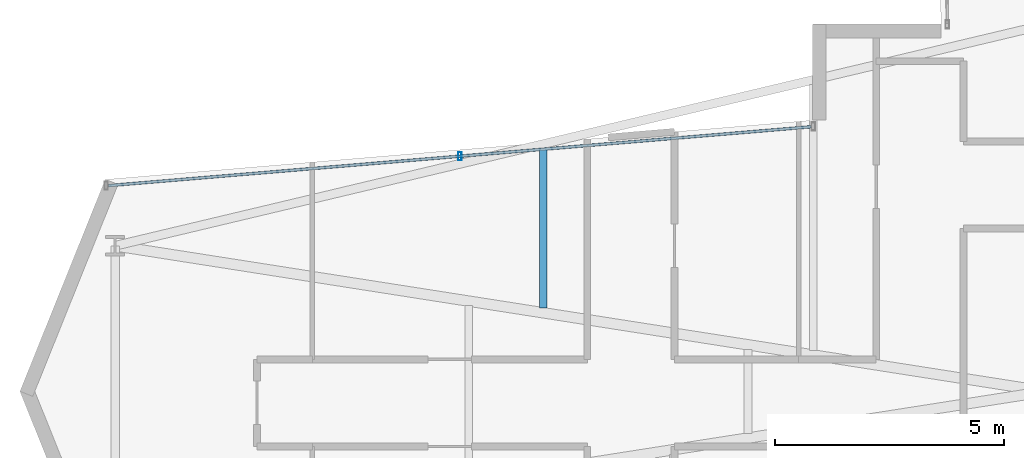
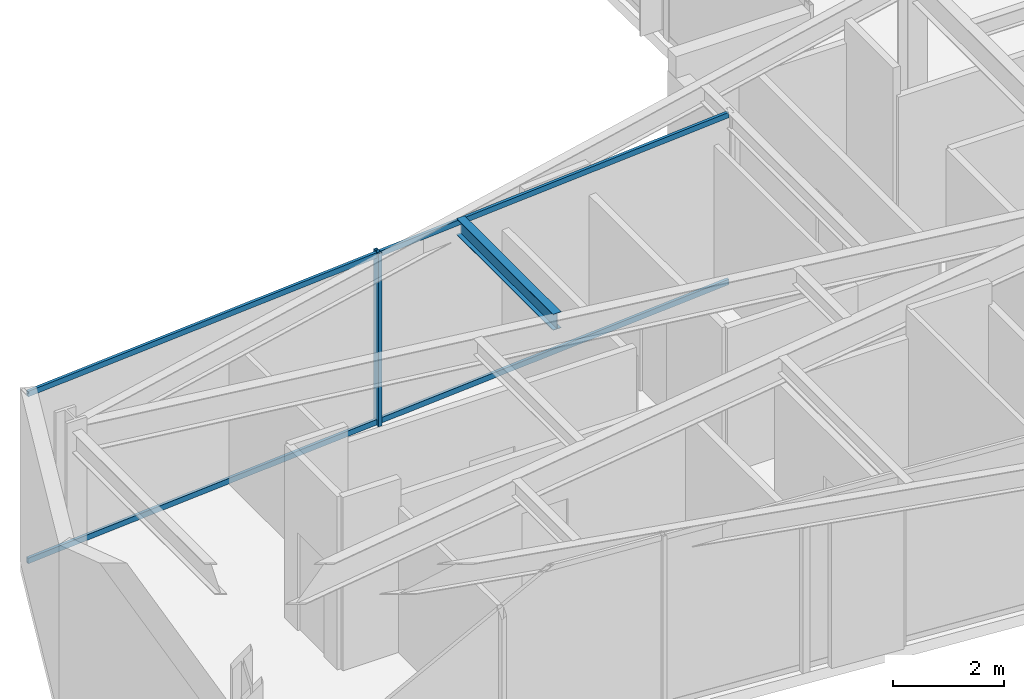
# One storey, part 8 of 25: 3 members, 1 beam, 1 element without a shape of its own.
"""IFC4 building model written with IfcOpenShell, lengths in metres."""

from ifc_helpers import new_model, si_unit, direction, frame, origin, origin_2d, place, context, subcontext, project, spatial, hollow_rectangle, i_section, extrude, material, layer, layer_set, material_profile, profile_set, type_object, element, aggregate, save


model = new_model("IFC4")

# Units and contexts
model_context = context("Model", 3, precision=1e-05, world=origin(), true_north=direction((0.0, 1.0)))
body_context = subcontext(model_context, "Body", "Model", "MODEL_VIEW")
ifc_project = project(units=[si_unit("LENGTHUNIT", "METRE"), si_unit("AREAUNIT", "SQUARE_METRE"), si_unit("VOLUMEUNIT", "CUBIC_METRE"), si_unit("PLANEANGLEUNIT", "RADIAN"), si_unit("MASSUNIT", "GRAM", prefix="KILO")], contexts=[model_context])

# Site, building, storey
site_placement = place(None, origin())
site = spatial("IfcSite", under=ifc_project, at=site_placement, CompositionType="ELEMENT")
building_placement = place(site_placement, origin())
building = spatial("IfcBuilding", under=site, at=building_placement, Name="Veymaron Broadcast Tower", CompositionType="ELEMENT")
storey_placement = place(building_placement, frame((0.0, 0.0, 129.0)))
storey = spatial("IfcBuildingStorey", under=building, at=storey_placement, Name="L29", CompositionType="ELEMENT", Elevation=129.0)

# Beam
ifc_material_1 = material(Name="Structural steel ASTM A992 Gr 50", Category="steel")
ifc_material_profile_1 = material_profile(ifc_material_1, i_section(OverallWidth=0.1708984375, OverallDepth=0.35498046875, WebThickness=0.007080078125, FlangeThickness=0.01171875, at=origin_2d()), Name="W360X51")
ifc_profile_set_1 = profile_set([ifc_material_profile_1], Name="Structural steel ASTM A992 Gr 50")
beam_type = type_object("IfcBeamType", Name="BM-JS2", PredefinedType="JOIST", material=ifc_profile_set_1)
beam_placement = place(storey_placement, frame((20.24072265625, 25.814453125, 3.632568359375), z_axis=(0.0, 1.0, 0.0), x_axis=(-1.0, 0.0, 0.0)))
element("IfcBeam", 1, at=beam_placement, inside=storey, type_object=beam_type, Name="L29 Arm-A secondary joist 1N", PredefinedType="JOIST", context=body_context, shape_type="SweptSolid", body=[
    extrude(i_section(OverallWidth=0.1708984375, OverallDepth=0.35498046875, WebThickness=0.007080078125, FlangeThickness=0.01171875, at=origin_2d()), origin(), (0.0, 0.0, 1.0), 3.47998046875),
])

# Curtain wall, members
ifc_material_2 = material(Name="Anodised aluminium AA 6063-T6 and laminated low-E dark glass", Category="aluminium")
ifc_layer = layer(ifc_material_2, 0.179931640625)
ifc_layer_set = layer_set([ifc_layer], Name="Anodised aluminium AA 6063-T6 and laminated low-E dark glass")
curtain_wall_type = type_object("IfcCurtainWallType", Name="CW-SYS-03", PredefinedType="NOTDEFINED", material=ifc_layer_set)
curtain_wall_placement = place(storey_placement, origin())
curtain_wall = element("IfcCurtainWall", 2, at=curtain_wall_placement, inside=storey, type_object=curtain_wall_type, Name="L29 dark-glass curtain wall CW-L29-E11-1", PredefinedType="NOTDEFINED")
ifc_material_3 = material(Name="Anodised aluminium AA 6063-T6", Category="aluminium")
ifc_material_profile_2 = material_profile(ifc_material_3, hollow_rectangle(XDim=0.074951171875, YDim=0.179931640625, WallThickness=0.0048828125, at=origin_2d()), Name="AL180X75X5")
ifc_profile_set_2 = profile_set([ifc_material_profile_2], Name="Anodised aluminium AA 6063-T6")
member_type_1 = type_object("IfcMemberType", Name="CW-MUL-02", PredefinedType="MULLION", material=ifc_profile_set_2)
member_1_placement = place(storey_placement, frame((18.421630859375, 29.128662109375, 0.0), z_axis=(0.0, 0.0, 1.0), x_axis=(1.0, 0.0, 0.0)))
member_1 = element("IfcMember", 3, at=member_1_placement, type_object=member_type_1, Name="CW-L29-E11-1 mullion 1", PredefinedType="MULLION", context=body_context, shape_type="SweptSolid", body=[
    extrude(hollow_rectangle(XDim=0.074951171875, YDim=0.179931640625, WallThickness=0.0048828125, at=origin_2d()), origin(), (0.0, 0.0, 1.0), 3.81005859375),
])
ifc_material_profile_3 = material_profile(ifc_material_3, hollow_rectangle(XDim=0.06005859375, YDim=0.1201171875, WallThickness=0.00390625, at=origin_2d()), Name="AL120X60X4")
ifc_profile_set_3 = profile_set([ifc_material_profile_3], Name="Anodised aluminium AA 6063-T6")
member_type_2 = type_object("IfcMemberType", Name="CW-TRN-02", PredefinedType="USERDEFINED", material=ifc_profile_set_3)
member_2_placement = place(storey_placement, frame((26.081787109375, 29.7705078125, 0.070068359375), z_axis=(-0.996507981532, -0.083497561303, 0.0), x_axis=(0.083497561303, -0.996507981532, 0.0)))
member_2 = element("IfcMember", 4, at=member_2_placement, type_object=member_type_2, Name="CW-L29-E11-1 transom B", ObjectType="TRANSOM", PredefinedType="USERDEFINED", context=body_context, shape_type="SweptSolid", body=[
    extrude(hollow_rectangle(XDim=0.06005859375, YDim=0.1201171875, WallThickness=0.00390625, at=origin_2d()), origin(), (0.0, 0.0, 1.0), 15.3740234375),
])
member_3_placement = place(storey_placement, frame((26.081787109375, 29.7705078125, 3.739990234375), z_axis=(-0.996507981532, -0.083497561303, 0.0), x_axis=(0.083497561303, -0.996507981532, 0.0)))
member_3 = element("IfcMember", 5, at=member_3_placement, type_object=member_type_2, Name="CW-L29-E11-1 transom T", ObjectType="TRANSOM", PredefinedType="USERDEFINED", context=body_context, shape_type="SweptSolid", body=[
    extrude(hollow_rectangle(XDim=0.06005859375, YDim=0.1201171875, WallThickness=0.00390625, at=origin_2d()), origin(), (0.0, 0.0, 1.0), 15.3740234375),
])
aggregate(curtain_wall, [member_1, member_2, member_3])

save(model, "model.ifc")
